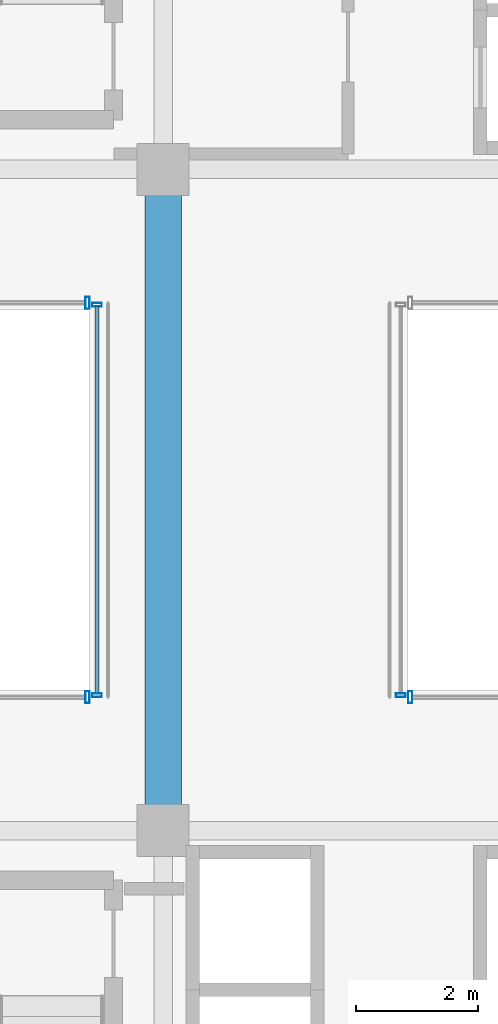
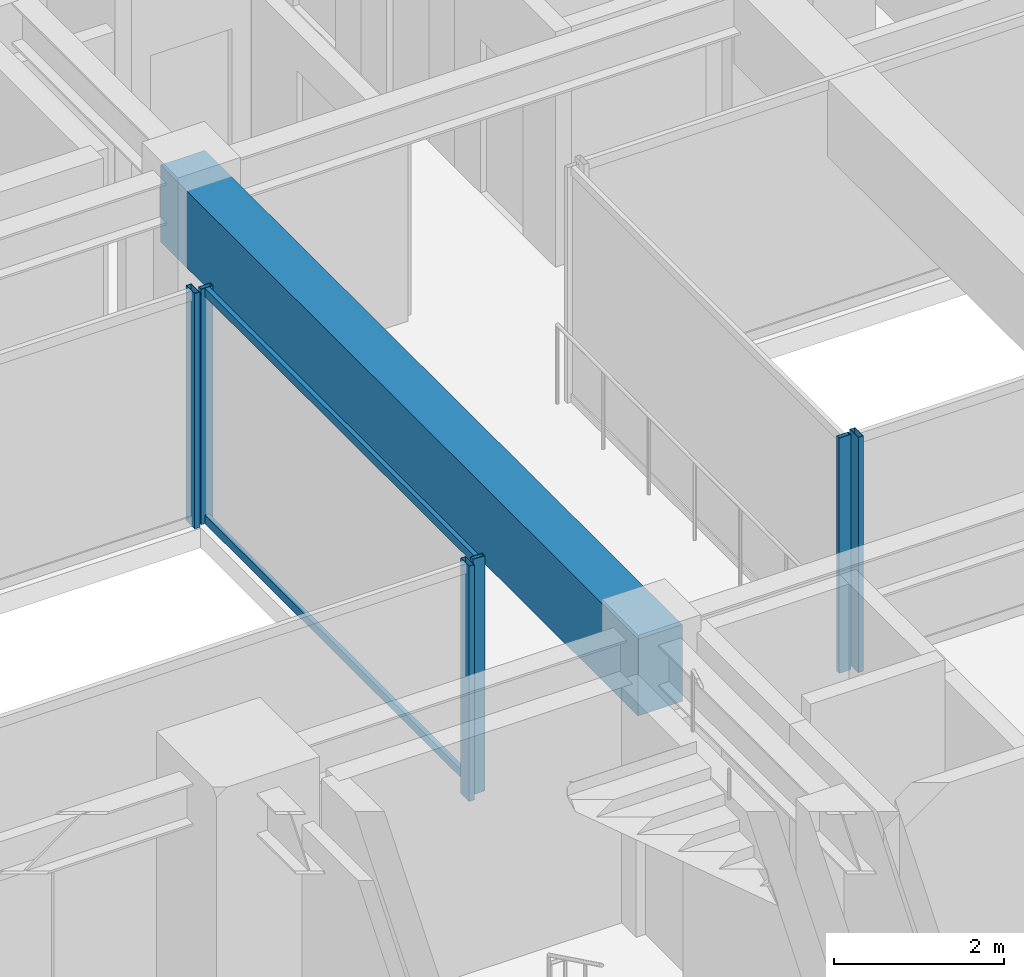
# One storey, part 17 of 38: 8 members, 1 beam, 5 elements without a shape of their own.
"""IFC4 building model written with IfcOpenShell, lengths in metres."""

from ifc_helpers import new_model, si_unit, direction, frame, origin, origin_2d, place, context, subcontext, project, spatial, rectangle, hollow_rectangle, extrude, source, transform, mapped, material, material_profile, profile_set, type_object, element, aggregate, save


model = new_model("IFC4")

# Units and contexts
model_context = context("Model", 3, precision=1e-05, world=origin(), true_north=direction((0.0, 1.0)))
body_context = subcontext(model_context, "Body", "Model", "MODEL_VIEW")
ifc_project = project(units=[si_unit("LENGTHUNIT", "METRE"), si_unit("AREAUNIT", "SQUARE_METRE"), si_unit("VOLUMEUNIT", "CUBIC_METRE"), si_unit("PLANEANGLEUNIT", "RADIAN"), si_unit("MASSUNIT", "GRAM", prefix="KILO")], contexts=[model_context])

# Site, building, storey
site_placement = place(None, origin())
site = spatial("IfcSite", under=ifc_project, at=site_placement, CompositionType="ELEMENT")
building_placement = place(site_placement, origin())
building = spatial("IfcBuilding", under=site, at=building_placement, Name="Nahalor Promenade Grand Hotel", CompositionType="ELEMENT")
storey_placement = place(building_placement, frame((0.0, 0.0, 50.64990234375)))
storey = spatial("IfcBuildingStorey", under=building, at=storey_placement, Name="L11", CompositionType="ELEMENT", Elevation=50.64990234375)

# Beam
ifc_material_1 = material(Name="Concrete B-60 (C50/60)", Category="concrete")
ifc_material_profile_1 = material_profile(ifc_material_1, rectangle(XDim=0.6, YDim=1.1, at=origin_2d()), Name="RC 600x1100")
ifc_profile_set_1 = profile_set([ifc_material_profile_1], Name="Concrete B-60 (C50/60)")
beam_type = type_object("IfcBeamType", Name="Beam-Lintel-RC1100", PredefinedType="LINTEL", material=ifc_profile_set_1)
shared_shape_1 = source(origin(), body_context, "Body", "SweptSolid", [
    extrude(rectangle(XDim=0.6, YDim=1.1, at=origin_2d()), origin(), (0.0, 0.0, 1.0), 11.2001953125),
])
beam_placement = place(storey_placement, frame((8.39990234375, -5.60009765625, 2.820068359375), z_axis=(0.0, 1.0, 0.0), x_axis=(-1.0, 0.0, 0.0)))
element("IfcBeam", 1, at=beam_placement, inside=storey, type_object=beam_type, Name="BM-L11-LINT-W", PredefinedType="LINTEL", context=body_context, shape_type="MappedRepresentation", body=[
    mapped(shared_shape_1, transform((0.0, 0.0, 0.0), scale=1.0)),
])

# Curtain wall, member
ifc_material_2 = material(Name="Anodised Bronze Aluminium EN AW-6063 T6", Category="aluminium")
curtain_wall_type_1 = type_object("IfcCurtainWallType", Name="CW3 Elliptical-Void Collar Unitised Curtain Wall", PredefinedType="USERDEFINED", material=ifc_material_2)
curtain_wall_1_placement = place(storey_placement, origin())
curtain_wall_1 = element("IfcCurtainWall", 2, at=curtain_wall_1_placement, inside=storey, type_object=curtain_wall_type_1, Name="L11 Curtain Wall CW-L11-VOID-WS1", ObjectType="UNITISED_CURTAIN_WALL", PredefinedType="USERDEFINED")
ifc_material_profile_2 = material_profile(ifc_material_2, hollow_rectangle(XDim=0.07, YDim=0.2, WallThickness=0.005, at=origin_2d()), Name="CWM 70x200x5")
ifc_profile_set_2 = profile_set([ifc_material_profile_2], Name="Anodised Bronze Aluminium EN AW-6063 T6")
member_type_1 = type_object("IfcMemberType", Name="CWM3 Void Collar Mullion 70x200", PredefinedType="MULLION", material=ifc_profile_set_2)
shared_shape_2 = source(origin(), body_context, "Body", "SweptSolid", [
    extrude(hollow_rectangle(XDim=0.07, YDim=0.2, WallThickness=0.005, at=origin_2d()), origin(), (0.0, 0.0, 1.0), 3.3701171875),
])
member_1_placement = place(storey_placement, frame((7.1650390625, -3.219970703125, 0.0), z_axis=(0.0, 0.0, 1.0), x_axis=(1.0, 0.0, 0.0)))
member_1 = element("IfcMember", 3, at=member_1_placement, type_object=member_type_1, Name="CW-L11-VOID-WS1 Mullion 3", PredefinedType="MULLION", context=body_context, shape_type="MappedRepresentation", body=[
    mapped(shared_shape_2, transform((0.0, 0.0, 0.0), scale=1.0)),
])
aggregate(curtain_wall_1, [member_1])

curtain_wall_2_placement = place(storey_placement, origin())
curtain_wall_2 = element("IfcCurtainWall", 4, at=curtain_wall_2_placement, inside=storey, type_object=curtain_wall_type_1, Name="L11 Curtain Wall CW-L11-VOID-WN1", ObjectType="UNITISED_CURTAIN_WALL", PredefinedType="USERDEFINED")
member_2_placement = place(storey_placement, frame((7.1650390625, 3.219970703125, 0.0), z_axis=(0.0, 0.0, 1.0), x_axis=(1.0, 0.0, 0.0)))
member_2 = element("IfcMember", 5, at=member_2_placement, type_object=member_type_1, Name="CW-L11-VOID-WN1 Mullion 3", PredefinedType="MULLION", context=body_context, shape_type="MappedRepresentation", body=[
    mapped(shared_shape_2, transform((0.0, 0.0, 0.0), scale=1.0)),
])
aggregate(curtain_wall_2, [member_2])

curtain_wall_3_placement = place(storey_placement, origin())
curtain_wall_3 = element("IfcCurtainWall", 6, at=curtain_wall_3_placement, inside=storey, type_object=curtain_wall_type_1, Name="L11 Curtain Wall CW-L11-VOID-ES1", ObjectType="UNITISED_CURTAIN_WALL", PredefinedType="USERDEFINED")
member_3_placement = place(storey_placement, frame((12.43505859375, -3.219970703125, 0.0), z_axis=(0.0, 0.0, 1.0), x_axis=(1.0, 0.0, 0.0)))
member_3 = element("IfcMember", 7, at=member_3_placement, type_object=member_type_1, Name="CW-L11-VOID-ES1 Mullion 0", PredefinedType="MULLION", context=body_context, shape_type="MappedRepresentation", body=[
    mapped(shared_shape_2, transform((0.0, 0.0, 0.0), scale=1.0)),
])
aggregate(curtain_wall_3, [member_3])

# Curtain wall, members
curtain_wall_type_2 = type_object("IfcCurtainWallType", Name="CW4 Low-Iron Sky-Gallery Bridge Curtain Wall", PredefinedType="USERDEFINED", material=ifc_material_2)
curtain_wall_4_placement = place(storey_placement, origin())
curtain_wall_4 = element("IfcCurtainWall", 8, at=curtain_wall_4_placement, inside=storey, type_object=curtain_wall_type_2, Name="L11 Curtain Wall CW-L11-BRG-W", ObjectType="UNITISED_CURTAIN_WALL", PredefinedType="USERDEFINED")
ifc_material_profile_3 = material_profile(ifc_material_2, hollow_rectangle(XDim=0.06, YDim=0.16, WallThickness=0.004, at=origin_2d()), Name="CWM 60x160x4")
ifc_profile_set_3 = profile_set([ifc_material_profile_3], Name="Anodised Bronze Aluminium EN AW-6063 T6")
member_type_2 = type_object("IfcMemberType", Name="CWM4 Sky-Gallery Slim Mullion 60x160", PredefinedType="MULLION", material=ifc_profile_set_3)
shared_shape_3 = source(origin(), body_context, "Body", "SweptSolid", [
    extrude(hollow_rectangle(XDim=0.06, YDim=0.16, WallThickness=0.004, at=origin_2d()), origin(), (0.0, 0.0, 1.0), 3.3701171875),
])
member_4_placement = place(storey_placement, frame((7.320068359375, -3.18994140625, 0.0), z_axis=(0.0, 0.0, 1.0), x_axis=(0.0, 1.0, 0.0)))
member_4 = element("IfcMember", 9, at=member_4_placement, type_object=member_type_2, Name="CW-L11-BRG-W Mullion 0", PredefinedType="MULLION", context=body_context, shape_type="MappedRepresentation", body=[
    mapped(shared_shape_3, transform((0.0, 0.0, 0.0), scale=1.0)),
])
member_5_placement = place(storey_placement, frame((7.320068359375, 3.18994140625, 0.0), z_axis=(0.0, 0.0, 1.0), x_axis=(0.0, 1.0, 0.0)))
member_5 = element("IfcMember", 10, at=member_5_placement, type_object=member_type_2, Name="CW-L11-BRG-W Mullion 1", PredefinedType="MULLION", context=body_context, shape_type="MappedRepresentation", body=[
    mapped(shared_shape_3, transform((0.0, 0.0, 0.0), scale=1.0)),
])

# Curtain wall, member
curtain_wall_5_placement = place(storey_placement, origin())
curtain_wall_5 = element("IfcCurtainWall", 11, at=curtain_wall_5_placement, inside=storey, type_object=curtain_wall_type_2, Name="L11 Curtain Wall CW-L11-BRG-E", ObjectType="UNITISED_CURTAIN_WALL", PredefinedType="USERDEFINED")
member_6_placement = place(storey_placement, frame((12.280029296875, -3.18994140625, 0.0), z_axis=(0.0, 0.0, 1.0), x_axis=(0.0, 1.0, 0.0)))
member_6 = element("IfcMember", 12, at=member_6_placement, type_object=member_type_2, Name="CW-L11-BRG-E Mullion 0", PredefinedType="MULLION", context=body_context, shape_type="MappedRepresentation", body=[
    mapped(shared_shape_3, transform((0.0, 0.0, 0.0), scale=1.0)),
])
aggregate(curtain_wall_5, [member_6])

# Member
ifc_material_profile_4 = material_profile(ifc_material_2, hollow_rectangle(XDim=0.06, YDim=0.12, WallThickness=0.004, at=origin_2d()), Name="CWT 60x120x4")
ifc_profile_set_4 = profile_set([ifc_material_profile_4], Name="Anodised Bronze Aluminium EN AW-6063 T6")
member_type_3 = type_object("IfcMemberType", Name="CWT4 Sky-Gallery Slim Transom 60x120", PredefinedType="USERDEFINED", material=ifc_profile_set_4)
shared_shape_4 = source(origin(), body_context, "Body", "SweptSolid", [
    extrude(hollow_rectangle(XDim=0.06, YDim=0.12, WallThickness=0.004, at=origin_2d()), origin(), (0.0, 0.0, 1.0), 6.31982421875),
])
member_7_placement = place(storey_placement, frame((7.320068359375, -3.159912109375, 0.06005859375), z_axis=(0.0, 1.0, 0.0), x_axis=(-1.0, 0.0, 0.0)))
member_7 = element("IfcMember", 13, at=member_7_placement, type_object=member_type_3, Name="CW-L11-BRG-W Transom 0-0", ObjectType="TRANSOM", PredefinedType="USERDEFINED", context=body_context, shape_type="MappedRepresentation", body=[
    mapped(shared_shape_4, transform((0.0, 0.0, 0.0), scale=1.0)),
])

member_8_placement = place(storey_placement, frame((7.320068359375, -3.159912109375, 3.31005859375), z_axis=(0.0, 1.0, 0.0), x_axis=(-1.0, 0.0, 0.0)))
member_8 = element("IfcMember", 14, at=member_8_placement, type_object=member_type_3, Name="CW-L11-BRG-W Transom 0-1", ObjectType="TRANSOM", PredefinedType="USERDEFINED", context=body_context, shape_type="MappedRepresentation", body=[
    mapped(shared_shape_4, transform((0.0, 0.0, 0.0), scale=1.0)),
])

aggregate(curtain_wall_4, [member_4, member_5, member_7, member_8])

save(model, "model.ifc")
